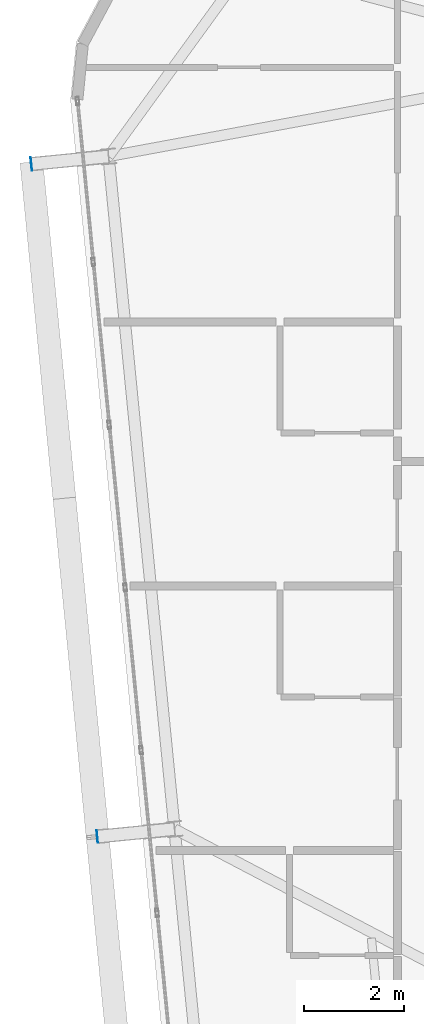
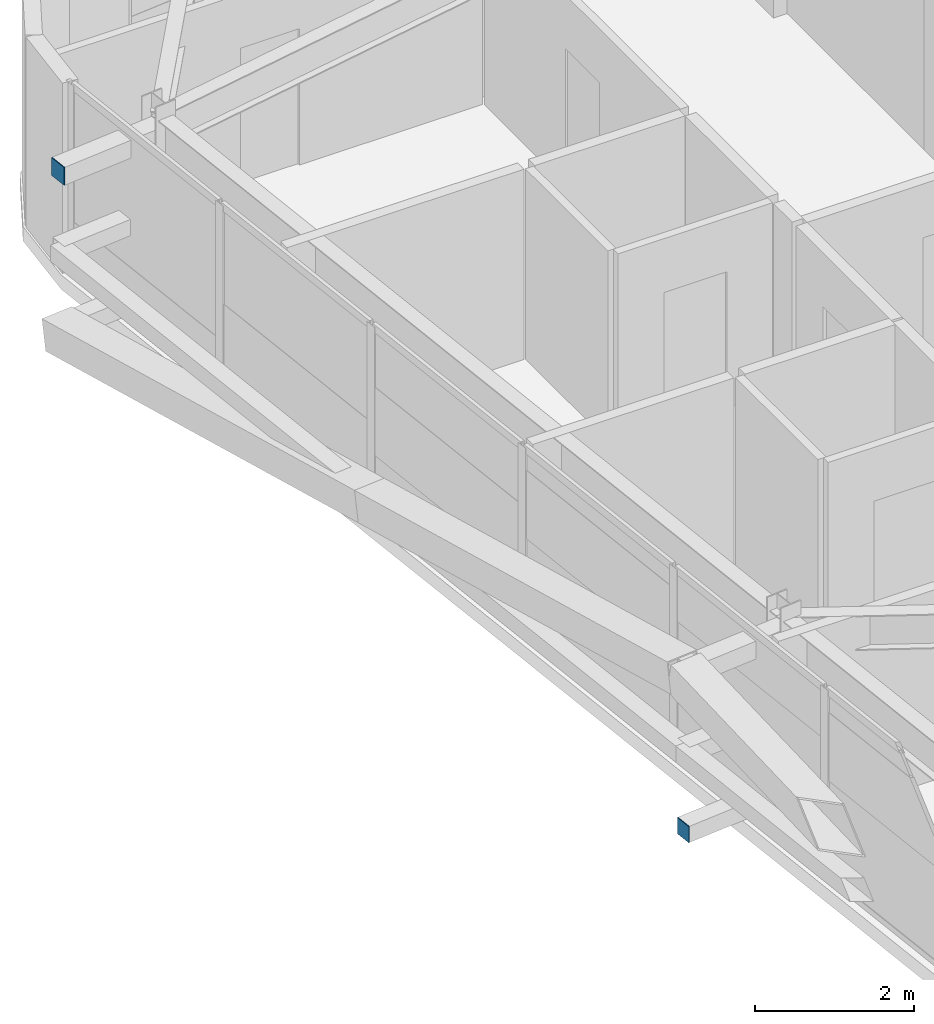
# One storey, part 40 of 53: 2 plates.
"""IFC4 building model written with IfcOpenShell, lengths in metres."""

from ifc_helpers import new_model, si_unit, direction, frame, origin, origin_2d, place, context, subcontext, project, spatial, rectangle, extrude, source, transform, mapped, material, layer, layer_set, type_object, element, save


model = new_model("IFC4")

# Units and contexts
model_context = context("Model", 3, precision=1e-05, world=origin(), true_north=direction((0.0, 1.0)))
body_context = subcontext(model_context, "Body", "Model", "MODEL_VIEW")
ifc_project = project(units=[si_unit("LENGTHUNIT", "METRE"), si_unit("AREAUNIT", "SQUARE_METRE"), si_unit("VOLUMEUNIT", "CUBIC_METRE"), si_unit("PLANEANGLEUNIT", "RADIAN"), si_unit("MASSUNIT", "GRAM", prefix="KILO")], contexts=[model_context])

# Site, building, storey
site_placement = place(None, origin())
site = spatial("IfcSite", under=ifc_project, at=site_placement, CompositionType="ELEMENT")
building_placement = place(site_placement, origin())
building = spatial("IfcBuilding", under=site, at=building_placement, Name="Taldren Reach Tower", CompositionType="ELEMENT")
storey_placement = place(building_placement, frame((0.0, 0.0, 68.25)))
storey = spatial("IfcBuildingStorey", under=building, at=storey_placement, Name="L20", CompositionType="ELEMENT", Elevation=68.25)

# Plates
ifc_material_1 = material(Name="Steel Gr 450 (C450L0)", Category="steel")
ifc_layer_1 = layer(ifc_material_1, 0.011962890625)
ifc_layer_set_1 = layer_set([ifc_layer_1], Name="Steel Gr 450 (C450L0)")
plate_type_1 = type_object("IfcPlateType", Name="PL-CAP-275", PredefinedType="SHEET", material=ifc_layer_set_1)
shared_shape_1 = source(origin(), body_context, "Body", "SweptSolid", [
    extrude(rectangle(XDim=0.011962890625, YDim=0.27490234375, at=origin_2d()), origin(), (0.0, 0.0, 1.0), 0.27490234375),
])
plate_1_placement = place(storey_placement, frame((7.259765625, 29.964599609375, 2.512451171875), z_axis=(0.0, 0.0, 1.0), x_axis=(0.995227399982, 0.097582899759, 0.0)))
element("IfcPlate", 1, at=plate_1_placement, inside=storey, type_object=plate_type_1, Name="Tie strut end cap plate B2-W3 L20", PredefinedType="SHEET", context=body_context, shape_type="MappedRepresentation", body=[
    mapped(shared_shape_1, transform((0.0, 0.0, 0.0), scale=1.0)),
])
ifc_material_2 = material(Name="Steel Gr 350 (C350L0)", Category="steel")
ifc_layer_2 = layer(ifc_material_2, 0.011962890625)
ifc_layer_set_2 = layer_set([ifc_layer_2], Name="Steel Gr 350 (C350L0)")
plate_type_2 = type_object("IfcPlateType", Name="PL-CAP-250", PredefinedType="SHEET", material=ifc_layer_set_2)
shared_shape_2 = source(origin(), body_context, "Body", "SweptSolid", [
    extrude(rectangle(XDim=0.011962890625, YDim=0.25, at=origin_2d()), origin(), (0.0, 0.0, 1.0), 0.25),
])
plate_2_placement = place(storey_placement, frame((8.58203125, 16.479248046875, 0.094970703125), z_axis=(0.0, 0.0, 1.0), x_axis=(0.995227399982, 0.097582899759, 0.0)))
element("IfcPlate", 2, at=plate_2_placement, inside=storey, type_object=plate_type_2, Name="Tie strut end cap plate B2-W2 L20", PredefinedType="SHEET", context=body_context, shape_type="MappedRepresentation", body=[
    mapped(shared_shape_2, transform((0.0, 0.0, 0.0), scale=1.0)),
])

save(model, "model.ifc")
